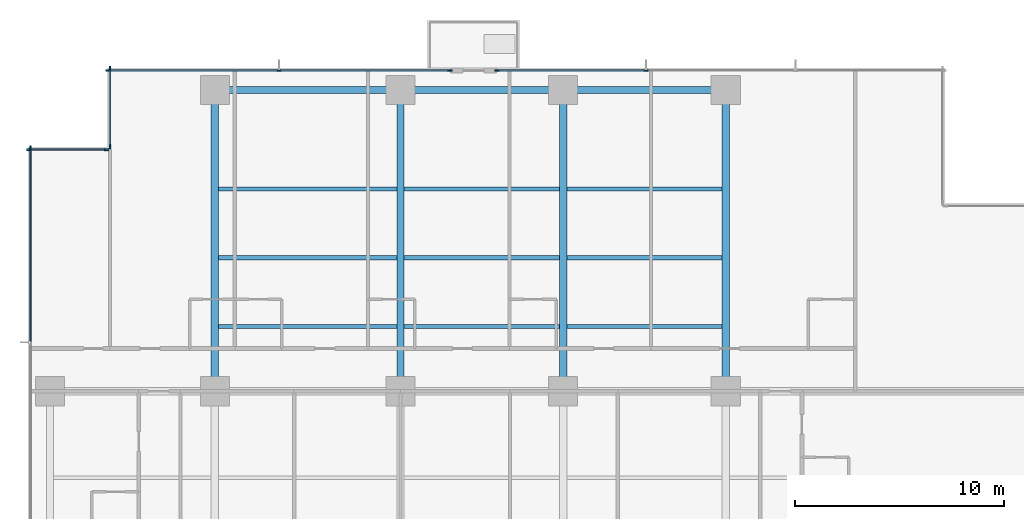
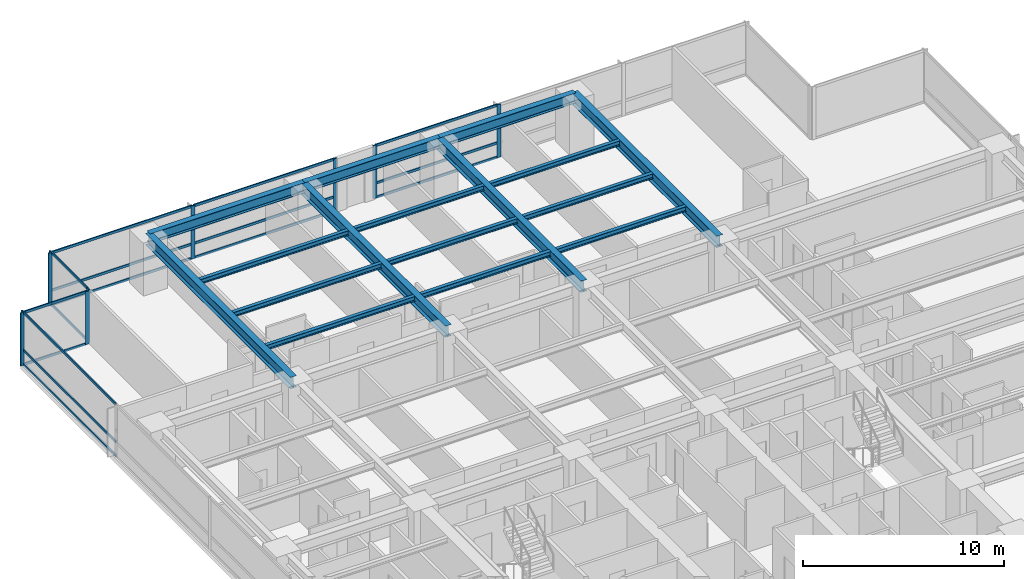
# One storey, part 4 of 16: 26 members, 16 beams, 5 elements without a shape of their own.
"""IFC4 building model written with IfcOpenShell, lengths in metres."""

from ifc_helpers import new_model, si_unit, direction, frame, origin, origin_2d, place, context, subcontext, project, spatial, rectangle, i_section, extrude, material, layer, layer_set, material_profile, profile_set, type_object, element, aggregate, save


model = new_model("IFC4")

# Units and contexts
model_context = context("Model", 3, precision=1e-05, world=origin(), true_north=direction((0.0, 1.0)))
body_context = subcontext(model_context, "Body", "Model", "MODEL_VIEW")
ifc_project = project(units=[si_unit("LENGTHUNIT", "METRE"), si_unit("AREAUNIT", "SQUARE_METRE"), si_unit("VOLUMEUNIT", "CUBIC_METRE"), si_unit("PLANEANGLEUNIT", "RADIAN"), si_unit("MASSUNIT", "GRAM", prefix="KILO")], contexts=[model_context])

# Site, building, storey
site_placement = place(None, origin())
site = spatial("IfcSite", under=ifc_project, at=site_placement, CompositionType="ELEMENT")
building_placement = place(site_placement, origin())
building = spatial("IfcBuilding", under=site, at=building_placement, Name="Qalmaran Belvedere Hotel", CompositionType="ELEMENT")
storey_placement = place(building_placement, frame((0.0, 0.0, 36.89990234375)))
storey = spatial("IfcBuildingStorey", under=building, at=storey_placement, Name="L08", CompositionType="ELEMENT", Elevation=36.89990234375)

# Beams
ifc_material_1 = material(Name="Steel S355JR", Category="steel")
ifc_material_profile_1 = material_profile(ifc_material_1, i_section(OverallWidth=0.202880859375, OverallDepth=0.302978515625, WebThickness=0.007568359375, FlangeThickness=0.01318359375, FilletRadius=0.012939453125, at=origin_2d()), Name="W310X60")
ifc_profile_set_1 = profile_set([ifc_material_profile_1], Name="Steel S355JR")
beam_type_1 = type_object("IfcBeamType", Name="BM-JST-W310X60", PredefinedType="JOIST", material=ifc_profile_set_1)
beam_1_placement = place(storey_placement, frame((20.4755859375, 36.10009765625, 3.068603515625), z_axis=(1.0, 0.0, 0.0), x_axis=(0.0, 1.0, 0.0)))
element("IfcBeam", 1, at=beam_1_placement, inside=storey, type_object=beam_type_1, Name="L08 North Floor Joist 042", PredefinedType="JOIST", context=body_context, shape_type="SweptSolid", body=[
    extrude(i_section(OverallWidth=0.202880859375, OverallDepth=0.302978515625, WebThickness=0.007568359375, FlangeThickness=0.01318359375, FilletRadius=0.012939453125, at=origin_2d()), origin(), (0.0, 0.0, 1.0), 8.548828125),
])
for number, where, z_axis, x_axis, name in (
    (2, (29.37548828125, 36.10009765625, 3.068603515625), (1.0, 0.0, 0.0), (0.0, 1.0, 0.0), "L08 North Floor Joist 043"),
    (3, (37.175537109375, 36.10009765625, 3.068603515625), (1.0, 0.0, 0.0), (0.0, 1.0, 0.0), "L08 North Floor Joist 044"),
):
    element("IfcBeam", number, at=place(storey_placement, frame(where, z_axis=z_axis, x_axis=x_axis)), inside=storey, type_object=beam_type_1, Name=name, PredefinedType="JOIST", context=body_context, shape_type="SweptSolid", body=[
        extrude(i_section(OverallWidth=0.202880859375, OverallDepth=0.302978515625, WebThickness=0.007568359375, FlangeThickness=0.01318359375, FilletRadius=0.012939453125, at=origin_2d()), origin(), (0.0, 0.0, 1.0), 7.448974609375),
    ])
beam_2_placement = place(storey_placement, frame((20.4755859375, 39.39990234375, 3.068603515625), z_axis=(1.0, 0.0, 0.0), x_axis=(0.0, 1.0, 0.0)))
element("IfcBeam", 4, at=beam_2_placement, inside=storey, type_object=beam_type_1, Name="L08 North Floor Joist 045", PredefinedType="JOIST", context=body_context, shape_type="SweptSolid", body=[
    extrude(i_section(OverallWidth=0.202880859375, OverallDepth=0.302978515625, WebThickness=0.007568359375, FlangeThickness=0.01318359375, FilletRadius=0.012939453125, at=origin_2d()), origin(), (0.0, 0.0, 1.0), 8.548828125),
])
for number, where, z_axis, x_axis, name in (
    (5, (29.37548828125, 39.39990234375, 3.068603515625), (1.0, 0.0, 0.0), (0.0, 1.0, 0.0), "L08 North Floor Joist 046"),
    (6, (37.175537109375, 39.39990234375, 3.068603515625), (1.0, 0.0, 0.0), (0.0, 1.0, 0.0), "L08 North Floor Joist 047"),
):
    element("IfcBeam", number, at=place(storey_placement, frame(where, z_axis=z_axis, x_axis=x_axis)), inside=storey, type_object=beam_type_1, Name=name, PredefinedType="JOIST", context=body_context, shape_type="SweptSolid", body=[
        extrude(i_section(OverallWidth=0.202880859375, OverallDepth=0.302978515625, WebThickness=0.007568359375, FlangeThickness=0.01318359375, FilletRadius=0.012939453125, at=origin_2d()), origin(), (0.0, 0.0, 1.0), 7.448974609375),
    ])
beam_3_placement = place(storey_placement, frame((20.4755859375, 42.699951171875, 3.068603515625), z_axis=(1.0, 0.0, 0.0), x_axis=(0.0, 1.0, 0.0)))
element("IfcBeam", 7, at=beam_3_placement, inside=storey, type_object=beam_type_1, Name="L08 North Floor Joist 048", PredefinedType="JOIST", context=body_context, shape_type="SweptSolid", body=[
    extrude(i_section(OverallWidth=0.202880859375, OverallDepth=0.302978515625, WebThickness=0.007568359375, FlangeThickness=0.01318359375, FilletRadius=0.012939453125, at=origin_2d()), origin(), (0.0, 0.0, 1.0), 8.548828125),
])
for number, where, z_axis, x_axis, name in (
    (8, (29.37548828125, 42.699951171875, 3.068603515625), (1.0, 0.0, 0.0), (0.0, 1.0, 0.0), "L08 North Floor Joist 049"),
    (9, (37.175537109375, 42.699951171875, 3.068603515625), (1.0, 0.0, 0.0), (0.0, 1.0, 0.0), "L08 North Floor Joist 050"),
):
    element("IfcBeam", number, at=place(storey_placement, frame(where, z_axis=z_axis, x_axis=x_axis)), inside=storey, type_object=beam_type_1, Name=name, PredefinedType="JOIST", context=body_context, shape_type="SweptSolid", body=[
        extrude(i_section(OverallWidth=0.202880859375, OverallDepth=0.302978515625, WebThickness=0.007568359375, FlangeThickness=0.01318359375, FilletRadius=0.012939453125, at=origin_2d()), origin(), (0.0, 0.0, 1.0), 7.448974609375),
    ])
ifc_material_profile_2 = material_profile(ifc_material_1, i_section(OverallWidth=0.326904296875, OverallDepth=0.6220703125, WebThickness=0.015380859375, FlangeThickness=0.0244140625, FilletRadius=0.02001953125, at=origin_2d()), Name="W610X195")
ifc_profile_set_2 = profile_set([ifc_material_profile_2], Name="Steel S355JR")
beam_type_2 = type_object("IfcBeamType", Name="BM-SP1-W610X195", PredefinedType="SPANDREL", material=ifc_profile_set_2)
beam_4_placement = place(storey_placement, frame((20.300048828125, 47.449951171875, 2.9091796875), z_axis=(1.0, 0.0, 0.0), x_axis=(0.0, 1.0, 0.0)))
element("IfcBeam", 10, at=beam_4_placement, inside=storey, type_object=beam_type_2, Name="L08 Perimeter Spandrel 05", PredefinedType="SPANDREL", context=body_context, shape_type="SweptSolid", body=[
    extrude(i_section(OverallWidth=0.326904296875, OverallDepth=0.6220703125, WebThickness=0.015380859375, FlangeThickness=0.0244140625, FilletRadius=0.02001953125, at=origin_2d()), origin(), (0.0, 0.0, 1.0), 8.89990234375),
])
for number, where, z_axis, x_axis, name in (
    (11, (29.199951171875, 47.449951171875, 2.9091796875), (1.0, 0.0, 0.0), (0.0, 1.0, 0.0), "L08 Perimeter Spandrel 06"),
    (12, (37.0, 47.449951171875, 2.9091796875), (1.0, 0.0, 0.0), (0.0, 1.0, 0.0), "L08 Perimeter Spandrel 07"),
):
    element("IfcBeam", number, at=place(storey_placement, frame(where, z_axis=z_axis, x_axis=x_axis)), inside=storey, type_object=beam_type_2, Name=name, PredefinedType="SPANDREL", context=body_context, shape_type="SweptSolid", body=[
        extrude(i_section(OverallWidth=0.326904296875, OverallDepth=0.6220703125, WebThickness=0.015380859375, FlangeThickness=0.0244140625, FilletRadius=0.02001953125, at=origin_2d()), origin(), (0.0, 0.0, 1.0), 7.800048828125),
    ])
ifc_material_profile_3 = material_profile(ifc_material_1, i_section(OverallWidth=0.35498046875, OverallDepth=0.695068359375, WebThickness=0.015380859375, FlangeThickness=0.02490234375, FilletRadius=0.02197265625, at=origin_2d()), Name="W690X217")
ifc_profile_set_3 = profile_set([ifc_material_profile_3], Name="Steel S355JR")
beam_type_3 = type_object("IfcBeamType", Name="BM-Z1-W690X217", PredefinedType="USERDEFINED", material=ifc_profile_set_3)
for number, where, z_axis, x_axis, name in (
    (13, (20.300048828125, 33.0, 2.87255859375), (0.0, 1.0, 0.0), (-1.0, 0.0, 0.0), "L08 North Bay Girder 15"),
    (14, (29.199951171875, 33.0, 2.87255859375), (0.0, 1.0, 0.0), (-1.0, 0.0, 0.0), "L08 North Bay Girder 17"),
    (15, (37.0, 33.0, 2.87255859375), (0.0, 1.0, 0.0), (-1.0, 0.0, 0.0), "L08 North Bay Girder 19"),
    (16, (44.800048828125, 33.0, 2.87255859375), (0.0, 1.0, 0.0), (-1.0, 0.0, 0.0), "L08 North Bay Girder 21"),
):
    element("IfcBeam", number, at=place(storey_placement, frame(where, z_axis=z_axis, x_axis=x_axis)), inside=storey, type_object=beam_type_3, Name=name, ObjectType="GIRDER", PredefinedType="USERDEFINED", context=body_context, shape_type="SweptSolid", body=[
        extrude(i_section(OverallWidth=0.35498046875, OverallDepth=0.695068359375, WebThickness=0.015380859375, FlangeThickness=0.02490234375, FilletRadius=0.02197265625, at=origin_2d()), origin(), (0.0, 0.0, 1.0), 14.449951171875),
    ])

# Curtain wall, members
ifc_material_2 = material(Name="Anodised Bronze Aluminium", Category="aluminium")
ifc_layer = layer(ifc_material_2, 0.2099609375, Name="Anodised Bronze Aluminium")
ifc_layer_set = layer_set([ifc_layer], Name="Anodised Bronze Aluminium")
curtain_wall_type = type_object("IfcCurtainWallType", Name="CW2-TOWER-LOWER", PredefinedType="NOTDEFINED", material=ifc_layer_set)
curtain_wall_1_placement = place(storey_placement, origin())
curtain_wall_1 = element("IfcCurtainWall", 17, at=curtain_wall_1_placement, inside=storey, type_object=curtain_wall_type, Name="L08 Curtain Wall CW2", PredefinedType="NOTDEFINED")
ifc_material_profile_4 = material_profile(ifc_material_2, rectangle(XDim=0.074951171875, YDim=0.219970703125, at=origin_2d()), Name="CWM75X220")
ifc_profile_set_4 = profile_set([ifc_material_profile_4], Name="Anodised Bronze Aluminium")
member_type_1 = type_object("IfcMemberType", Name="CWM-75X220", PredefinedType="MULLION", material=ifc_profile_set_4)
member_1_placement = place(storey_placement, frame((31.5625, 48.3798828125, 0.0), z_axis=(0.0, 0.0, 1.0), x_axis=(0.0, -1.0, 0.0)))
member_1 = element("IfcMember", 18, at=member_1_placement, type_object=member_type_1, Name="CW2 mullion 1", PredefinedType="MULLION", context=body_context, shape_type="SweptSolid", body=[
    extrude(rectangle(XDim=0.074951171875, YDim=0.219970703125, at=origin_2d()), origin(), (0.0, 0.0, 1.0), 3.22021484375),
])
member_2_placement = place(storey_placement, frame((23.375, 48.3798828125, 0.0), z_axis=(0.0, 0.0, 1.0), x_axis=(0.0, -1.0, 0.0)))
member_2 = element("IfcMember", 19, at=member_2_placement, type_object=member_type_1, Name="CW2 mullion 2", PredefinedType="MULLION", context=body_context, shape_type="SweptSolid", body=[
    extrude(rectangle(XDim=0.074951171875, YDim=0.219970703125, at=origin_2d()), origin(), (0.0, 0.0, 1.0), 3.22021484375),
])
member_3_placement = place(storey_placement, frame((15.1875, 48.3798828125, 0.0), z_axis=(0.0, 0.0, 1.0), x_axis=(0.0, -1.0, 0.0)))
member_3 = element("IfcMember", 20, at=member_3_placement, type_object=member_type_1, Name="CW2 mullion 3", PredefinedType="MULLION", context=body_context, shape_type="SweptSolid", body=[
    extrude(rectangle(XDim=0.074951171875, YDim=0.219970703125, at=origin_2d()), origin(), (0.0, 0.0, 1.0), 3.22021484375),
])

curtain_wall_2_placement = place(storey_placement, origin())
curtain_wall_2 = element("IfcCurtainWall", 21, at=curtain_wall_2_placement, inside=storey, type_object=curtain_wall_type, Name="L08 Curtain Wall CW2", PredefinedType="NOTDEFINED")
member_4_placement = place(storey_placement, frame((40.966552734375, 48.3798828125, 0.0), z_axis=(0.0, 0.0, 1.0), x_axis=(0.0, -1.0, 0.0)))
member_4 = element("IfcMember", 22, at=member_4_placement, type_object=member_type_1, Name="CW2 mullion 3", PredefinedType="MULLION", context=body_context, shape_type="SweptSolid", body=[
    extrude(rectangle(XDim=0.074951171875, YDim=0.219970703125, at=origin_2d()), origin(), (0.0, 0.0, 1.0), 3.22021484375),
])
member_5_placement = place(storey_placement, frame((33.83740234375, 48.3798828125, 0.0), z_axis=(0.0, 0.0, 1.0), x_axis=(0.0, -1.0, 0.0)))
member_5 = element("IfcMember", 23, at=member_5_placement, type_object=member_type_1, Name="CW2 mullion 4", PredefinedType="MULLION", context=body_context, shape_type="SweptSolid", body=[
    extrude(rectangle(XDim=0.074951171875, YDim=0.219970703125, at=origin_2d()), origin(), (0.0, 0.0, 1.0), 3.22021484375),
])

curtain_wall_3_placement = place(storey_placement, origin())
curtain_wall_3 = element("IfcCurtainWall", 24, at=curtain_wall_3_placement, inside=storey, type_object=curtain_wall_type, Name="L08 Curtain Wall CW2", PredefinedType="NOTDEFINED")
member_6_placement = place(storey_placement, frame((15.27001953125, 48.46240234375, 0.0), z_axis=(0.0, 0.0, 1.0), x_axis=(1.0, 0.0, 0.0)))
member_6 = element("IfcMember", 25, at=member_6_placement, type_object=member_type_1, Name="CW2 mullion 1", PredefinedType="MULLION", context=body_context, shape_type="SweptSolid", body=[
    extrude(rectangle(XDim=0.074951171875, YDim=0.219970703125, at=origin_2d()), origin(), (0.0, 0.0, 1.0), 3.22021484375),
])
member_7_placement = place(storey_placement, frame((15.27001953125, 44.737548828125, 0.0), z_axis=(0.0, 0.0, 1.0), x_axis=(1.0, 0.0, 0.0)))
member_7 = element("IfcMember", 26, at=member_7_placement, type_object=member_type_1, Name="CW2 mullion 2", PredefinedType="MULLION", context=body_context, shape_type="SweptSolid", body=[
    extrude(rectangle(XDim=0.074951171875, YDim=0.219970703125, at=origin_2d()), origin(), (0.0, 0.0, 1.0), 3.22021484375),
])

curtain_wall_4_placement = place(storey_placement, origin())
curtain_wall_4 = element("IfcCurtainWall", 27, at=curtain_wall_4_placement, inside=storey, type_object=curtain_wall_type, Name="L08 Curtain Wall CW2", PredefinedType="NOTDEFINED")
member_8_placement = place(storey_placement, frame((15.112548828125, 44.580078125, 0.0), z_axis=(0.0, 0.0, 1.0), x_axis=(0.0, -1.0, 0.0)))
member_8 = element("IfcMember", 28, at=member_8_placement, type_object=member_type_1, Name="CW2 mullion 1", PredefinedType="MULLION", context=body_context, shape_type="SweptSolid", body=[
    extrude(rectangle(XDim=0.074951171875, YDim=0.219970703125, at=origin_2d()), origin(), (0.0, 0.0, 1.0), 3.22021484375),
])
member_9_placement = place(storey_placement, frame((11.387451171875, 44.580078125, 0.0), z_axis=(0.0, 0.0, 1.0), x_axis=(0.0, -1.0, 0.0)))
member_9 = element("IfcMember", 29, at=member_9_placement, type_object=member_type_1, Name="CW2 mullion 2", PredefinedType="MULLION", context=body_context, shape_type="SweptSolid", body=[
    extrude(rectangle(XDim=0.074951171875, YDim=0.219970703125, at=origin_2d()), origin(), (0.0, 0.0, 1.0), 3.22021484375),
])

# Curtain wall, member
curtain_wall_5_placement = place(storey_placement, origin())
curtain_wall_5 = element("IfcCurtainWall", 30, at=curtain_wall_5_placement, inside=storey, type_object=curtain_wall_type, Name="L08 Curtain Wall CW2", PredefinedType="NOTDEFINED")
member_10_placement = place(storey_placement, frame((11.469970703125, 44.66259765625, 0.0), z_axis=(0.0, 0.0, 1.0), x_axis=(1.0, 0.0, 0.0)))
member_10 = element("IfcMember", 31, at=member_10_placement, type_object=member_type_1, Name="CW2 mullion 1", PredefinedType="MULLION", context=body_context, shape_type="SweptSolid", body=[
    extrude(rectangle(XDim=0.074951171875, YDim=0.219970703125, at=origin_2d()), origin(), (0.0, 0.0, 1.0), 3.22021484375),
])

# Member
ifc_material_profile_5 = material_profile(ifc_material_2, rectangle(XDim=0.070068359375, YDim=0.14990234375, at=origin_2d()), Name="CWT70X150")
ifc_profile_set_5 = profile_set([ifc_material_profile_5], Name="Anodised Bronze Aluminium")
member_type_2 = type_object("IfcMemberType", Name="CWT-70X150", PredefinedType="USERDEFINED", material=ifc_profile_set_5)
member_11_placement = place(storey_placement, frame((31.52490234375, 48.3798828125, 0.03515625), z_axis=(-1.0, 0.0, 0.0), x_axis=(0.0, -1.0, 0.0)))
member_11 = element("IfcMember", 32, at=member_11_placement, type_object=member_type_2, Name="CW2 transom 1.1", ObjectType="TRANSOM", PredefinedType="USERDEFINED", context=body_context, shape_type="SweptSolid", body=[
    extrude(rectangle(XDim=0.070068359375, YDim=0.14990234375, at=origin_2d()), origin(), (0.0, 0.0, 1.0), 8.1123046875),
])

member_12_placement = place(storey_placement, frame((31.52490234375, 48.3798828125, 0.901611328125), z_axis=(-1.0, 0.0, 0.0), x_axis=(0.0, -1.0, 0.0)))
member_12 = element("IfcMember", 33, at=member_12_placement, type_object=member_type_2, Name="CW2 transom 1.2", ObjectType="TRANSOM", PredefinedType="USERDEFINED", context=body_context, shape_type="SweptSolid", body=[
    extrude(rectangle(XDim=0.070068359375, YDim=0.14990234375, at=origin_2d()), origin(), (0.0, 0.0, 1.0), 8.1123046875),
])

member_13_placement = place(storey_placement, frame((31.52490234375, 48.3798828125, 3.18505859375), z_axis=(-1.0, 0.0, 0.0), x_axis=(0.0, -1.0, 0.0)))
member_13 = element("IfcMember", 34, at=member_13_placement, type_object=member_type_2, Name="CW2 transom 1.3", ObjectType="TRANSOM", PredefinedType="USERDEFINED", context=body_context, shape_type="SweptSolid", body=[
    extrude(rectangle(XDim=0.070068359375, YDim=0.14990234375, at=origin_2d()), origin(), (0.0, 0.0, 1.0), 8.1123046875),
])

member_14_placement = place(storey_placement, frame((23.33740234375, 48.3798828125, 0.03515625), z_axis=(-1.0, 0.0, 0.0), x_axis=(0.0, -1.0, 0.0)))
member_14 = element("IfcMember", 35, at=member_14_placement, type_object=member_type_2, Name="CW2 transom 2.1", ObjectType="TRANSOM", PredefinedType="USERDEFINED", context=body_context, shape_type="SweptSolid", body=[
    extrude(rectangle(XDim=0.070068359375, YDim=0.14990234375, at=origin_2d()), origin(), (0.0, 0.0, 1.0), 8.1123046875),
])

member_15_placement = place(storey_placement, frame((23.33740234375, 48.3798828125, 0.901611328125), z_axis=(-1.0, 0.0, 0.0), x_axis=(0.0, -1.0, 0.0)))
member_15 = element("IfcMember", 36, at=member_15_placement, type_object=member_type_2, Name="CW2 transom 2.2", ObjectType="TRANSOM", PredefinedType="USERDEFINED", context=body_context, shape_type="SweptSolid", body=[
    extrude(rectangle(XDim=0.070068359375, YDim=0.14990234375, at=origin_2d()), origin(), (0.0, 0.0, 1.0), 8.1123046875),
])

member_16_placement = place(storey_placement, frame((23.33740234375, 48.3798828125, 3.18505859375), z_axis=(-1.0, 0.0, 0.0), x_axis=(0.0, -1.0, 0.0)))
member_16 = element("IfcMember", 37, at=member_16_placement, type_object=member_type_2, Name="CW2 transom 2.3", ObjectType="TRANSOM", PredefinedType="USERDEFINED", context=body_context, shape_type="SweptSolid", body=[
    extrude(rectangle(XDim=0.070068359375, YDim=0.14990234375, at=origin_2d()), origin(), (0.0, 0.0, 1.0), 8.1123046875),
])

aggregate(curtain_wall_1, [member_1, member_2, member_3, member_11, member_12, member_13, member_14, member_15, member_16])

member_17_placement = place(storey_placement, frame((40.92919921875, 48.3798828125, 0.03515625), z_axis=(-1.0, 0.0, 0.0), x_axis=(0.0, -1.0, 0.0)))
member_17 = element("IfcMember", 38, at=member_17_placement, type_object=member_type_2, Name="CW2 transom 3.1", ObjectType="TRANSOM", PredefinedType="USERDEFINED", context=body_context, shape_type="SweptSolid", body=[
    extrude(rectangle(XDim=0.070068359375, YDim=0.14990234375, at=origin_2d()), origin(), (0.0, 0.0, 1.0), 7.05419921875),
])

member_18_placement = place(storey_placement, frame((40.92919921875, 48.3798828125, 0.901611328125), z_axis=(-1.0, 0.0, 0.0), x_axis=(0.0, -1.0, 0.0)))
member_18 = element("IfcMember", 39, at=member_18_placement, type_object=member_type_2, Name="CW2 transom 3.2", ObjectType="TRANSOM", PredefinedType="USERDEFINED", context=body_context, shape_type="SweptSolid", body=[
    extrude(rectangle(XDim=0.070068359375, YDim=0.14990234375, at=origin_2d()), origin(), (0.0, 0.0, 1.0), 7.05419921875),
])

member_19_placement = place(storey_placement, frame((40.92919921875, 48.3798828125, 3.18505859375), z_axis=(-1.0, 0.0, 0.0), x_axis=(0.0, -1.0, 0.0)))
member_19 = element("IfcMember", 40, at=member_19_placement, type_object=member_type_2, Name="CW2 transom 3.3", ObjectType="TRANSOM", PredefinedType="USERDEFINED", context=body_context, shape_type="SweptSolid", body=[
    extrude(rectangle(XDim=0.070068359375, YDim=0.14990234375, at=origin_2d()), origin(), (0.0, 0.0, 1.0), 7.05419921875),
])

aggregate(curtain_wall_2, [member_4, member_5, member_17, member_18, member_19])

member_20_placement = place(storey_placement, frame((15.27001953125, 48.425048828125, 0.03515625), z_axis=(0.0, -1.0, 0.0), x_axis=(1.0, 0.0, 0.0)))
member_20 = element("IfcMember", 41, at=member_20_placement, type_object=member_type_2, Name="CW2 transom 1.1", ObjectType="TRANSOM", PredefinedType="USERDEFINED", context=body_context, shape_type="SweptSolid", body=[
    extrude(rectangle(XDim=0.070068359375, YDim=0.14990234375, at=origin_2d()), origin(), (0.0, 0.0, 1.0), 3.650146484375),
])

member_21_placement = place(storey_placement, frame((15.27001953125, 48.425048828125, 3.18505859375), z_axis=(0.0, -1.0, 0.0), x_axis=(1.0, 0.0, 0.0)))
member_21 = element("IfcMember", 42, at=member_21_placement, type_object=member_type_2, Name="CW2 transom 1.2", ObjectType="TRANSOM", PredefinedType="USERDEFINED", context=body_context, shape_type="SweptSolid", body=[
    extrude(rectangle(XDim=0.070068359375, YDim=0.14990234375, at=origin_2d()), origin(), (0.0, 0.0, 1.0), 3.650146484375),
])

aggregate(curtain_wall_3, [member_6, member_7, member_20, member_21])

member_22_placement = place(storey_placement, frame((15.074951171875, 44.580078125, 0.03515625), z_axis=(-1.0, 0.0, 0.0), x_axis=(0.0, -1.0, 0.0)))
member_22 = element("IfcMember", 43, at=member_22_placement, type_object=member_type_2, Name="CW2 transom 1.1", ObjectType="TRANSOM", PredefinedType="USERDEFINED", context=body_context, shape_type="SweptSolid", body=[
    extrude(rectangle(XDim=0.070068359375, YDim=0.14990234375, at=origin_2d()), origin(), (0.0, 0.0, 1.0), 3.64990234375),
])

member_23_placement = place(storey_placement, frame((15.074951171875, 44.580078125, 3.18505859375), z_axis=(-1.0, 0.0, 0.0), x_axis=(0.0, -1.0, 0.0)))
member_23 = element("IfcMember", 44, at=member_23_placement, type_object=member_type_2, Name="CW2 transom 1.2", ObjectType="TRANSOM", PredefinedType="USERDEFINED", context=body_context, shape_type="SweptSolid", body=[
    extrude(rectangle(XDim=0.070068359375, YDim=0.14990234375, at=origin_2d()), origin(), (0.0, 0.0, 1.0), 3.64990234375),
])

aggregate(curtain_wall_4, [member_8, member_9, member_22, member_23])

member_24_placement = place(storey_placement, frame((11.469970703125, 44.625, 0.03515625), z_axis=(0.0, -1.0, 0.0), x_axis=(1.0, 0.0, 0.0)))
member_24 = element("IfcMember", 45, at=member_24_placement, type_object=member_type_2, Name="CW2 transom 1.1", ObjectType="TRANSOM", PredefinedType="USERDEFINED", context=body_context, shape_type="SweptSolid", body=[
    extrude(rectangle(XDim=0.070068359375, YDim=0.14990234375, at=origin_2d()), origin(), (0.0, 0.0, 1.0), 9.237548828125),
])

member_25_placement = place(storey_placement, frame((11.469970703125, 44.625, 0.901611328125), z_axis=(0.0, -1.0, 0.0), x_axis=(1.0, 0.0, 0.0)))
member_25 = element("IfcMember", 46, at=member_25_placement, type_object=member_type_2, Name="CW2 transom 1.2", ObjectType="TRANSOM", PredefinedType="USERDEFINED", context=body_context, shape_type="SweptSolid", body=[
    extrude(rectangle(XDim=0.070068359375, YDim=0.14990234375, at=origin_2d()), origin(), (0.0, 0.0, 1.0), 9.237548828125),
])

member_26_placement = place(storey_placement, frame((11.469970703125, 44.625, 3.18505859375), z_axis=(0.0, -1.0, 0.0), x_axis=(1.0, 0.0, 0.0)))
member_26 = element("IfcMember", 47, at=member_26_placement, type_object=member_type_2, Name="CW2 transom 1.3", ObjectType="TRANSOM", PredefinedType="USERDEFINED", context=body_context, shape_type="SweptSolid", body=[
    extrude(rectangle(XDim=0.070068359375, YDim=0.14990234375, at=origin_2d()), origin(), (0.0, 0.0, 1.0), 9.237548828125),
])

aggregate(curtain_wall_5, [member_10, member_24, member_25, member_26])

save(model, "model.ifc")
